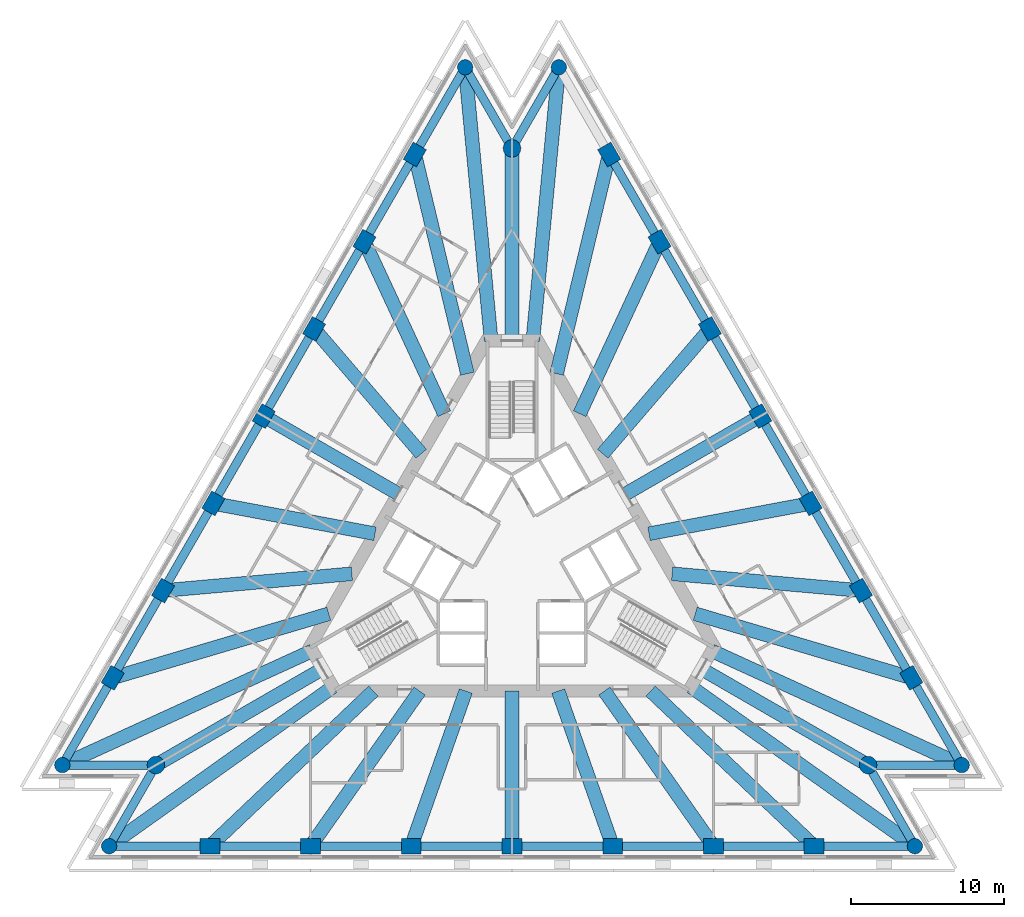
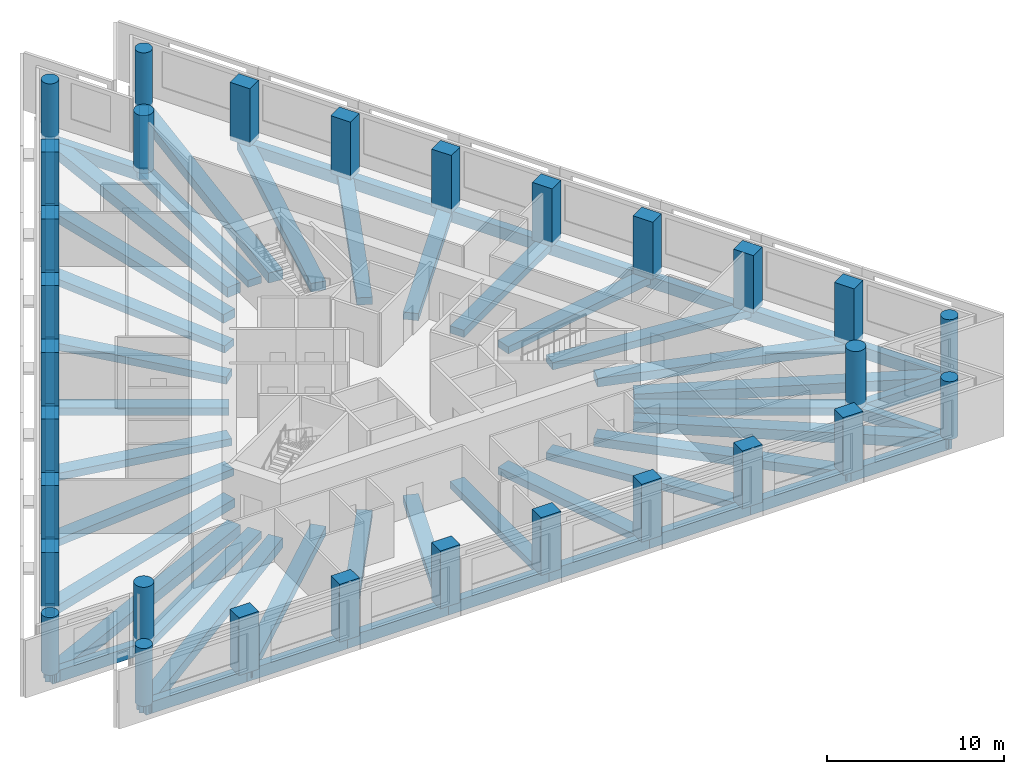
# One storey, part 1 of 10: 59 beams, 30 columns.
"""IFC4 building model written with IfcOpenShell, lengths in metres."""

from ifc_helpers import new_model, si_unit, direction, frame, origin, origin_2d, place, context, subcontext, project, spatial, rectangle, circle, extrude, material, material_profile, profile_set, type_object, element, save


model = new_model("IFC4")

# Units and contexts
model_context = context("Model", 3, precision=1e-05, world=origin(), true_north=direction((0.0, 1.0)))
body_context = subcontext(model_context, "Body", "Model", "MODEL_VIEW")
ifc_project = project(units=[si_unit("LENGTHUNIT", "METRE"), si_unit("AREAUNIT", "SQUARE_METRE"), si_unit("VOLUMEUNIT", "CUBIC_METRE"), si_unit("PLANEANGLEUNIT", "RADIAN"), si_unit("MASSUNIT", "GRAM", prefix="KILO")], contexts=[model_context])

# Site, building, storey
site_placement = place(None, origin())
site = spatial("IfcSite", under=ifc_project, at=site_placement, CompositionType="ELEMENT")
building_placement = place(site_placement, origin())
building = spatial("IfcBuilding", under=site, at=building_placement, Name="Triada Interchange Tower", CompositionType="ELEMENT")
storey_placement = place(building_placement, frame((0.0, 0.0, 152.300048828125)))
storey = spatial("IfcBuildingStorey", under=building, at=storey_placement, Name="L35", CompositionType="ELEMENT", Elevation=152.300048828125)

# Columns
ifc_material_1 = material(Name="Concrete C60/75", Category="concrete")
ifc_material_profile_1 = material_profile(ifc_material_1, rectangle(XDim=1.300048828125, YDim=1.0, at=origin_2d()), Name="RC 1300x1000")
ifc_profile_set_1 = profile_set([ifc_material_profile_1], Name="Concrete C60/75")
column_type_1 = type_object("IfcColumnType", Name="Column B face RC 1300x1000", PredefinedType="COLUMN", material=ifc_profile_set_1)
for number, where, z_axis, x_axis, name in (
    (1, (-6.35595703125, 26.48388671875, -0.300048828125), (0.0, 0.0, 1.0), (0.5, 0.866025403784, 0.0), "Column CB02 L35"),
    (2, (-9.64892578125, 20.781005859375, -0.300048828125), (0.0, 0.0, 1.0), (0.5, 0.866025403784, 0.0), "Column CB03 L35"),
    (3, (-12.94189453125, 15.076904296875, -0.300048828125), (0.0, 0.0, 1.0), (0.5, 0.866025403784, 0.0), "Column CB04 L35"),
    (4, (-16.23388671875, 9.373046875, -0.300048828125), (0.0, 0.0, 1.0), (0.5, 0.866025403784, 0.0), "Column CB05 L35"),
    (5, (-19.527099609375, 3.6689453125, -0.300048828125), (0.0, 0.0, 1.0), (0.5, 0.866025403784, 0.0), "Column CB06 L35"),
    (6, (-22.820068359375, -2.034912109375, -0.300048828125), (0.0, 0.0, 1.0), (0.5, 0.866025403784, 0.0), "Column CB07 L35"),
    (7, (-26.113037109375, -7.738037109375, -0.300048828125), (0.0, 0.0, 1.0), (0.5, 0.866025403784, 0.0), "Column CB08 L35"),
    (8, (-19.758056640625, -18.74609375, -0.300048828125), (0.0, 0.0, 1.0), (1.0, 0.0, 0.0), "Column CB11 L35"),
    (9, (-13.172119140625, -18.74609375, -0.300048828125), (0.0, 0.0, 1.0), (1.0, 0.0, 0.0), "Column CB12 L35"),
    (10, (-6.5859375, -18.74609375, -0.300048828125), (0.0, 0.0, 1.0), (1.0, 0.0, 0.0), "Column CB13 L35"),
    (11, (0.0, -18.74609375, -0.300048828125), (0.0, 0.0, 1.0), (1.0, 0.0, 0.0), "Column CB14 L35"),
    (12, (6.5859375, -18.74609375, -0.300048828125), (0.0, 0.0, 1.0), (1.0, 0.0, 0.0), "Column CB15 L35"),
    (13, (13.172119140625, -18.74609375, -0.300048828125), (0.0, 0.0, 1.0), (1.0, 0.0, 0.0), "Column CB16 L35"),
    (14, (19.758056640625, -18.74609375, -0.300048828125), (0.0, 0.0, 1.0), (1.0, 0.0, 0.0), "Column CB17 L35"),
    (15, (26.113037109375, -7.738037109375, -0.300048828125), (0.0, 0.0, 1.0), (-0.5, 0.866025403784, 0.0), "Column CB20 L35"),
    (16, (22.820068359375, -2.033935546875, -0.300048828125), (0.0, 0.0, 1.0), (-0.5, 0.866025403784, 0.0), "Column CB21 L35"),
    (17, (19.527099609375, 3.6689453125, -0.300048828125), (0.0, 0.0, 1.0), (-0.5, 0.866025403784, 0.0), "Column CB22 L35"),
    (18, (16.23388671875, 9.373046875, -0.300048828125), (0.0, 0.0, 1.0), (-0.5, 0.866025403784, 0.0), "Column CB23 L35"),
    (19, (12.94189453125, 15.076904296875, -0.300048828125), (0.0, 0.0, 1.0), (-0.5, 0.866025403784, 0.0), "Column CB24 L35"),
    (20, (9.64892578125, 20.781005859375, -0.300048828125), (0.0, 0.0, 1.0), (-0.5, 0.866025403784, 0.0), "Column CB25 L35"),
    (21, (6.35595703125, 26.48388671875, -0.300048828125), (0.0, 0.0, 1.0), (-0.5, 0.866025403784, 0.0), "Column CB26 L35"),
):
    element("IfcColumn", number, at=place(storey_placement, frame(where, z_axis=z_axis, x_axis=x_axis)), inside=storey, type_object=column_type_1, Name=name, PredefinedType="COLUMN", context=body_context, shape_type="SweptSolid", body=[
        extrude(rectangle(XDim=1.300048828125, YDim=1.0, at=origin_2d()), origin(), (0.0, 0.0, 1.0), 4.0),
    ])
ifc_material_profile_2 = material_profile(ifc_material_1, circle(Radius=0.5, at=origin_2d()), Name="RC D1000")
ifc_profile_set_2 = profile_set([ifc_material_profile_2], Name="Concrete C60/75")
column_type_2 = type_object("IfcColumnType", Name="End column B RC D1000", PredefinedType="COLUMN", material=ifc_profile_set_2)
for number, where, z_axis, x_axis, name in (
    (22, (-3.06298828125, 32.18798828125, -0.300048828125), (0.0, 0.0, 1.0), (0.5, 0.866025403784, 0.0), "Column CB01 L35"),
    (23, (-29.406005859375, -13.44189453125, -0.300048828125), (0.0, 0.0, 1.0), (0.5, 0.866025403784, 0.0), "Column CB09 L35"),
    (24, (-26.343994140625, -18.74609375, -0.300048828125), (0.0, 0.0, 1.0), (1.0, 0.0, 0.0), "Column CB10 L35"),
    (25, (26.343994140625, -18.74609375, -0.300048828125), (0.0, 0.0, 1.0), (1.0, 0.0, 0.0), "Column CB18 L35"),
    (26, (29.406005859375, -13.44189453125, -0.300048828125), (0.0, 0.0, 1.0), (-0.5, 0.866025403784, 0.0), "Column CB19 L35"),
    (27, (3.06298828125, 32.18798828125, -0.300048828125), (0.0, 0.0, 1.0), (-0.5, 0.866025403784, 0.0), "Column CB27 L35"),
):
    element("IfcColumn", number, at=place(storey_placement, frame(where, z_axis=z_axis, x_axis=x_axis)), inside=storey, type_object=column_type_2, Name=name, PredefinedType="COLUMN", context=body_context, shape_type="SweptSolid", body=[
        extrude(circle(Radius=0.5, at=origin_2d()), origin(), (0.0, 0.0, 1.0), 4.0),
    ])
ifc_material_profile_3 = material_profile(ifc_material_1, circle(Radius=0.574951171875, at=origin_2d()), Name="RC D1150")
ifc_profile_set_3 = profile_set([ifc_material_profile_3], Name="Concrete C60/75")
column_type_3 = type_object("IfcColumnType", Name="Mega column B RC D1150", PredefinedType="COLUMN", material=ifc_profile_set_3)
for number, where, z_axis, x_axis, name in (
    (28, (0.0, 26.883056640625, -0.300048828125), (0.0, 0.0, 1.0), (1.0, 0.0, 0.0), "Column MB1 L35"),
    (29, (-23.281005859375, -13.44189453125, -0.300048828125), (0.0, 0.0, 1.0), (1.0, 0.0, 0.0), "Column MB2 L35"),
    (30, (23.281005859375, -13.44189453125, -0.300048828125), (0.0, 0.0, 1.0), (1.0, 0.0, 0.0), "Column MB3 L35"),
):
    element("IfcColumn", number, at=place(storey_placement, frame(where, z_axis=z_axis, x_axis=x_axis)), inside=storey, type_object=column_type_3, Name=name, PredefinedType="COLUMN", context=body_context, shape_type="SweptSolid", body=[
        extrude(circle(Radius=0.574951171875, at=origin_2d()), origin(), (0.0, 0.0, 1.0), 4.0),
    ])

# Beams
ifc_material_2 = material(Name="Concrete C50/60", Category="concrete")
ifc_material_profile_4 = material_profile(ifc_material_2, rectangle(XDim=0.89990234375, YDim=0.5, at=origin_2d()), Name="RC 900x500")
ifc_profile_set_4 = profile_set([ifc_material_profile_4], Name="Concrete C50/60")
beam_type_1 = type_object("IfcBeamType", Name="Radial band beam B RC 900x500", PredefinedType="BEAM", material=ifc_profile_set_4)
beam_1_placement = place(storey_placement, frame((-9.64892578125, 20.781005859375, -0.550048828125), z_axis=(0.421150637496, -0.906990705871, 0.0), x_axis=(0.906990705871, 0.421150637496, 0.0)))
element("IfcBeam", 31, at=beam_1_placement, inside=storey, type_object=beam_type_1, Name="Radial band beam BB03 L35", PredefinedType="BEAM", context=body_context, shape_type="SweptSolid", body=[
    extrude(rectangle(XDim=0.89990234375, YDim=0.5, at=origin_2d()), origin(), (0.0, 0.0, 1.0), 12.401611328125),
])
beam_2_placement = place(storey_placement, frame((-12.94189453125, 15.076904296875, -0.550048828125), z_axis=(0.651318398791, -0.758804548877, 0.0), x_axis=(0.758804548877, 0.651318398791, 0.0)))
element("IfcBeam", 32, at=beam_2_placement, inside=storey, type_object=beam_type_1, Name="Radial band beam BB04 L35", PredefinedType="BEAM", context=body_context, shape_type="SweptSolid", body=[
    extrude(rectangle(XDim=0.89990234375, YDim=0.5, at=origin_2d()), origin(), (0.0, 0.0, 1.0), 10.7548828125),
])
beam_3_placement = place(storey_placement, frame((-16.23388671875, 9.373046875, -0.550048828125), z_axis=(0.866005647856, -0.500034216711, 0.0), x_axis=(0.500034216711, 0.866005647856, 0.0)))
element("IfcBeam", 33, at=beam_3_placement, inside=storey, type_object=beam_type_1, Name="Radial band beam BB05 L35", PredefinedType="BEAM", context=body_context, shape_type="SweptSolid", body=[
    extrude(rectangle(XDim=0.89990234375, YDim=0.5, at=origin_2d()), origin(), (0.0, 0.0, 1.0), 10.145263671875),
])
beam_4_placement = place(storey_placement, frame((-19.527099609375, 3.6689453125, -0.550048828125), z_axis=(0.982802467996, -0.18465998186, 0.0), x_axis=(0.18465998186, 0.982802467996, 0.0)))
element("IfcBeam", 34, at=beam_4_placement, inside=storey, type_object=beam_type_1, Name="Radial band beam BB06 L35", PredefinedType="BEAM", context=body_context, shape_type="SweptSolid", body=[
    extrude(rectangle(XDim=0.89990234375, YDim=0.5, at=origin_2d()), origin(), (0.0, 0.0, 1.0), 10.754150390625),
])
beam_5_placement = place(storey_placement, frame((-22.820068359375, -2.034912109375, -0.550048828125), z_axis=(0.996051583015, 0.088776370583, 0.0), x_axis=(-0.088776370583, 0.996051583015, 0.0)))
element("IfcBeam", 35, at=beam_5_placement, inside=storey, type_object=beam_type_1, Name="Radial band beam BB07 L35", PredefinedType="BEAM", context=body_context, shape_type="SweptSolid", body=[
    extrude(rectangle(XDim=0.89990234375, YDim=0.5, at=origin_2d()), origin(), (0.0, 0.0, 1.0), 12.400146484375),
])
beam_6_placement = place(storey_placement, frame((-23.281005859375, -13.44189453125, -0.550048828125), z_axis=(0.866003995359, 0.500037078648, 0.0), x_axis=(-0.500037078648, 0.866003995359, 0.0)))
element("IfcBeam", 36, at=beam_6_placement, inside=storey, type_object=beam_type_1, Name="Radial band beam BB10 L35", PredefinedType="BEAM", context=body_context, shape_type="SweptSolid", body=[
    extrude(rectangle(XDim=0.89990234375, YDim=0.5, at=origin_2d()), origin(), (0.0, 0.0, 1.0), 12.5830078125),
])
beam_7_placement = place(storey_placement, frame((-13.172119140625, -18.74609375, -0.550048828125), z_axis=(0.57492022482, 0.818209468958, 0.0), x_axis=(-0.818209468958, 0.57492022482, 0.0)))
element("IfcBeam", 37, at=beam_7_placement, inside=storey, type_object=beam_type_1, Name="Radial band beam BB13 L35", PredefinedType="BEAM", context=body_context, shape_type="SweptSolid", body=[
    extrude(rectangle(XDim=0.89990234375, YDim=0.5, at=origin_2d()), origin(), (0.0, 0.0, 1.0), 12.400146484375),
])
beam_8_placement = place(storey_placement, frame((-6.5859375, -18.74609375, -0.550048828125), z_axis=(0.331496918005, 0.943456301772, 0.0), x_axis=(-0.943456301772, 0.331496918005, 0.0)))
element("IfcBeam", 38, at=beam_8_placement, inside=storey, type_object=beam_type_1, Name="Radial band beam BB14 L35", PredefinedType="BEAM", context=body_context, shape_type="SweptSolid", body=[
    extrude(rectangle(XDim=0.89990234375, YDim=0.5, at=origin_2d()), origin(), (0.0, 0.0, 1.0), 10.754150390625),
])
beam_9_placement = place(storey_placement, frame((0.0, -18.74609375, -0.550048828125), z_axis=(0.0, 1.0, 0.0), x_axis=(-1.0, 0.0, 0.0)))
element("IfcBeam", 39, at=beam_9_placement, inside=storey, type_object=beam_type_1, Name="Radial band beam BB15 L35", PredefinedType="BEAM", context=body_context, shape_type="SweptSolid", body=[
    extrude(rectangle(XDim=0.89990234375, YDim=0.5, at=origin_2d()), origin(), (0.0, 0.0, 1.0), 10.14599609375),
])
beam_10_placement = place(storey_placement, frame((6.5859375, -18.74609375, -0.550048828125), z_axis=(-0.331496918005, 0.943456301772, 0.0), x_axis=(-0.943456301772, -0.331496918005, 0.0)))
element("IfcBeam", 40, at=beam_10_placement, inside=storey, type_object=beam_type_1, Name="Radial band beam BB16 L35", PredefinedType="BEAM", context=body_context, shape_type="SweptSolid", body=[
    extrude(rectangle(XDim=0.89990234375, YDim=0.5, at=origin_2d()), origin(), (0.0, 0.0, 1.0), 10.754150390625),
])
beam_11_placement = place(storey_placement, frame((13.172119140625, -18.74609375, -0.550048828125), z_axis=(-0.57492022482, 0.818209468958, 0.0), x_axis=(-0.818209468958, -0.57492022482, 0.0)))
element("IfcBeam", 41, at=beam_11_placement, inside=storey, type_object=beam_type_1, Name="Radial band beam BB17 L35", PredefinedType="BEAM", context=body_context, shape_type="SweptSolid", body=[
    extrude(rectangle(XDim=0.89990234375, YDim=0.5, at=origin_2d()), origin(), (0.0, 0.0, 1.0), 12.400146484375),
])
beam_12_placement = place(storey_placement, frame((23.281005859375, -13.44189453125, -0.550048828125), z_axis=(-0.866003995359, 0.500037078648, 0.0), x_axis=(-0.500037078648, -0.866003995359, 0.0)))
element("IfcBeam", 42, at=beam_12_placement, inside=storey, type_object=beam_type_1, Name="Radial band beam BB20 L35", PredefinedType="BEAM", context=body_context, shape_type="SweptSolid", body=[
    extrude(rectangle(XDim=0.89990234375, YDim=0.5, at=origin_2d()), origin(), (0.0, 0.0, 1.0), 12.5830078125),
])
beam_13_placement = place(storey_placement, frame((22.820068359375, -2.033935546875, -0.550048828125), z_axis=(-0.996051583015, 0.088776370583, 0.0), x_axis=(-0.088776370583, -0.996051583015, 0.0)))
element("IfcBeam", 43, at=beam_13_placement, inside=storey, type_object=beam_type_1, Name="Radial band beam BB23 L35", PredefinedType="BEAM", context=body_context, shape_type="SweptSolid", body=[
    extrude(rectangle(XDim=0.89990234375, YDim=0.5, at=origin_2d()), origin(), (0.0, 0.0, 1.0), 12.400146484375),
])
beam_14_placement = place(storey_placement, frame((19.527099609375, 3.6689453125, -0.550048828125), z_axis=(-0.982802467996, -0.18465998186, 0.0), x_axis=(0.18465998186, -0.982802467996, 0.0)))
element("IfcBeam", 44, at=beam_14_placement, inside=storey, type_object=beam_type_1, Name="Radial band beam BB24 L35", PredefinedType="BEAM", context=body_context, shape_type="SweptSolid", body=[
    extrude(rectangle(XDim=0.89990234375, YDim=0.5, at=origin_2d()), origin(), (0.0, 0.0, 1.0), 10.754150390625),
])
beam_15_placement = place(storey_placement, frame((16.23388671875, 9.373046875, -0.550048828125), z_axis=(-0.866005647856, -0.500034216711, 0.0), x_axis=(0.500034216711, -0.866005647856, 0.0)))
element("IfcBeam", 45, at=beam_15_placement, inside=storey, type_object=beam_type_1, Name="Radial band beam BB25 L35", PredefinedType="BEAM", context=body_context, shape_type="SweptSolid", body=[
    extrude(rectangle(XDim=0.89990234375, YDim=0.5, at=origin_2d()), origin(), (0.0, 0.0, 1.0), 10.145263671875),
])
beam_16_placement = place(storey_placement, frame((12.94189453125, 15.076904296875, -0.550048828125), z_axis=(-0.651318398791, -0.758804548877, 0.0), x_axis=(0.758804548877, -0.651318398791, 0.0)))
element("IfcBeam", 46, at=beam_16_placement, inside=storey, type_object=beam_type_1, Name="Radial band beam BB26 L35", PredefinedType="BEAM", context=body_context, shape_type="SweptSolid", body=[
    extrude(rectangle(XDim=0.89990234375, YDim=0.5, at=origin_2d()), origin(), (0.0, 0.0, 1.0), 10.7548828125),
])
beam_17_placement = place(storey_placement, frame((9.64892578125, 20.781005859375, -0.550048828125), z_axis=(-0.421150637496, -0.906990705871, 0.0), x_axis=(0.906990705871, -0.421150637496, 0.0)))
element("IfcBeam", 47, at=beam_17_placement, inside=storey, type_object=beam_type_1, Name="Radial band beam BB27 L35", PredefinedType="BEAM", context=body_context, shape_type="SweptSolid", body=[
    extrude(rectangle(XDim=0.89990234375, YDim=0.5, at=origin_2d()), origin(), (0.0, 0.0, 1.0), 12.401611328125),
])
beam_18_placement = place(storey_placement, frame((0.0, 26.883056640625, -0.550048828125), z_axis=(0.0, -1.0, 0.0), x_axis=(1.0, 0.0, 0.0)))
element("IfcBeam", 48, at=beam_18_placement, inside=storey, type_object=beam_type_1, Name="Radial band beam BB30 L35", PredefinedType="BEAM", context=body_context, shape_type="SweptSolid", body=[
    extrude(rectangle(XDim=0.89990234375, YDim=0.5, at=origin_2d()), origin(), (0.0, 0.0, 1.0), 12.5830078125),
])
ifc_material_profile_5 = material_profile(ifc_material_2, rectangle(XDim=0.89990234375, YDim=0.60009765625, at=origin_2d()), Name="RC 900x600")
ifc_profile_set_5 = profile_set([ifc_material_profile_5], Name="Concrete C50/60")
beam_type_2 = type_object("IfcBeamType", Name="Radial band beam B RC 900x600", PredefinedType="BEAM", material=ifc_profile_set_5)
beam_19_placement = place(storey_placement, frame((-6.35595703125, 26.48388671875, -0.60009765625), z_axis=(0.233344139784, -0.972394216575, 0.0), x_axis=(0.972394216575, 0.233344139784, 0.0)))
element("IfcBeam", 49, at=beam_19_placement, inside=storey, type_object=beam_type_2, Name="Radial band beam BB02 L35", PredefinedType="BEAM", context=body_context, shape_type="SweptSolid", body=[
    extrude(rectangle(XDim=0.89990234375, YDim=0.60009765625, at=origin_2d()), origin(), (0.0, 0.0, 1.0), 14.741943359375),
])
beam_20_placement = place(storey_placement, frame((-26.113037109375, -7.738037109375, -0.60009765625), z_axis=(0.958790426324, 0.28411426995, 0.0), x_axis=(-0.28411426995, 0.958790426324, 0.0)))
element("IfcBeam", 50, at=beam_20_placement, inside=storey, type_object=beam_type_2, Name="Radial band beam BB08 L35", PredefinedType="BEAM", context=body_context, shape_type="SweptSolid", body=[
    extrude(rectangle(XDim=0.89990234375, YDim=0.60009765625, at=origin_2d()), origin(), (0.0, 0.0, 1.0), 14.740478515625),
])
for number, where, z_axis, x_axis, name in (
    (51, (-19.758056640625, -18.74609375, -0.60009765625), (0.725452884593, 0.688271830192, 0.0), (-0.688271830192, 0.725452884593, 0.0), "Radial band beam BB12 L35"),
    (52, (19.758056640625, -18.74609375, -0.60009765625), (-0.725452884593, 0.688271830192, 0.0), (-0.688271830192, -0.725452884593, 0.0), "Radial band beam BB18 L35"),
):
    element("IfcBeam", number, at=place(storey_placement, frame(where, z_axis=z_axis, x_axis=x_axis)), inside=storey, type_object=beam_type_2, Name=name, PredefinedType="BEAM", context=body_context, shape_type="SweptSolid", body=[
        extrude(rectangle(XDim=0.89990234375, YDim=0.60009765625, at=origin_2d()), origin(), (0.0, 0.0, 1.0), 14.7412109375),
    ])
beam_21_placement = place(storey_placement, frame((26.113037109375, -7.738037109375, -0.60009765625), z_axis=(-0.958790426324, 0.28411426995, 0.0), x_axis=(-0.28411426995, -0.958790426324, 0.0)))
element("IfcBeam", 53, at=beam_21_placement, inside=storey, type_object=beam_type_2, Name="Radial band beam BB22 L35", PredefinedType="BEAM", context=body_context, shape_type="SweptSolid", body=[
    extrude(rectangle(XDim=0.89990234375, YDim=0.60009765625, at=origin_2d()), origin(), (0.0, 0.0, 1.0), 14.740478515625),
])
beam_22_placement = place(storey_placement, frame((6.35595703125, 26.48388671875, -0.60009765625), z_axis=(-0.233344139784, -0.972394216575, 0.0), x_axis=(0.972394216575, -0.233344139784, 0.0)))
element("IfcBeam", 54, at=beam_22_placement, inside=storey, type_object=beam_type_2, Name="Radial band beam BB28 L35", PredefinedType="BEAM", context=body_context, shape_type="SweptSolid", body=[
    extrude(rectangle(XDim=0.89990234375, YDim=0.60009765625, at=origin_2d()), origin(), (0.0, 0.0, 1.0), 14.741943359375),
])
ifc_material_profile_6 = material_profile(ifc_material_2, rectangle(XDim=0.89990234375, YDim=0.699951171875, at=origin_2d()), Name="RC 900x700")
ifc_profile_set_6 = profile_set([ifc_material_profile_6], Name="Concrete C50/60")
beam_type_3 = type_object("IfcBeamType", Name="Radial band beam B RC 900x700", PredefinedType="BEAM", material=ifc_profile_set_6)
beam_23_placement = place(storey_placement, frame((-3.06298828125, 32.18798828125, -0.650146484375), z_axis=(0.094714838253, -0.995504444699, 0.0), x_axis=(0.995504444699, 0.094714838253, 0.0)))
element("IfcBeam", 55, at=beam_23_placement, inside=storey, type_object=beam_type_3, Name="Radial band beam BB01 L35", PredefinedType="BEAM", context=body_context, shape_type="SweptSolid", body=[
    extrude(rectangle(XDim=0.89990234375, YDim=0.699951171875, at=origin_2d()), origin(), (0.0, 0.0, 1.0), 17.96875),
])
beam_24_placement = place(storey_placement, frame((-29.406005859375, -13.44189453125, -0.650146484375), z_axis=(0.909488713667, 0.415728613055, 0.0), x_axis=(-0.415728613055, 0.909488713667, 0.0)))
element("IfcBeam", 56, at=beam_24_placement, inside=storey, type_object=beam_type_3, Name="Radial band beam BB09 L35", PredefinedType="BEAM", context=body_context, shape_type="SweptSolid", body=[
    extrude(rectangle(XDim=0.89990234375, YDim=0.699951171875, at=origin_2d()), origin(), (0.0, 0.0, 1.0), 17.96826171875),
])
for number, where, z_axis, x_axis, name in (
    (57, (-26.343994140625, -18.74609375, -0.650146484375), (0.814754921858, 0.579805499549, 0.0), (-0.579805499549, 0.814754921858, 0.0), "Radial band beam BB11 L35"),
    (58, (26.343994140625, -18.74609375, -0.650146484375), (-0.814754921858, 0.579805499549, 0.0), (-0.579805499549, -0.814754921858, 0.0), "Radial band beam BB19 L35"),
):
    element("IfcBeam", number, at=place(storey_placement, frame(where, z_axis=z_axis, x_axis=x_axis)), inside=storey, type_object=beam_type_3, Name=name, PredefinedType="BEAM", context=body_context, shape_type="SweptSolid", body=[
        extrude(rectangle(XDim=0.89990234375, YDim=0.699951171875, at=origin_2d()), origin(), (0.0, 0.0, 1.0), 17.968505859375),
    ])
beam_25_placement = place(storey_placement, frame((29.406005859375, -13.44189453125, -0.650146484375), z_axis=(-0.909488713667, 0.415728613055, 0.0), x_axis=(-0.415728613055, -0.909488713667, 0.0)))
element("IfcBeam", 59, at=beam_25_placement, inside=storey, type_object=beam_type_3, Name="Radial band beam BB21 L35", PredefinedType="BEAM", context=body_context, shape_type="SweptSolid", body=[
    extrude(rectangle(XDim=0.89990234375, YDim=0.699951171875, at=origin_2d()), origin(), (0.0, 0.0, 1.0), 17.96826171875),
])
beam_26_placement = place(storey_placement, frame((3.06298828125, 32.18798828125, -0.650146484375), z_axis=(-0.094714838253, -0.995504444699, 0.0), x_axis=(0.995504444699, -0.094714838253, 0.0)))
element("IfcBeam", 60, at=beam_26_placement, inside=storey, type_object=beam_type_3, Name="Radial band beam BB29 L35", PredefinedType="BEAM", context=body_context, shape_type="SweptSolid", body=[
    extrude(rectangle(XDim=0.89990234375, YDim=0.699951171875, at=origin_2d()), origin(), (0.0, 0.0, 1.0), 17.96875),
])
ifc_material_profile_7 = material_profile(ifc_material_2, rectangle(XDim=0.550048828125, YDim=0.800048828125, at=origin_2d()), Name="RC 550x800")
ifc_profile_set_7 = profile_set([ifc_material_profile_7], Name="Concrete C50/60")
beam_type_4 = type_object("IfcBeamType", Name="Spandrel beam B RC 550x800", PredefinedType="BEAM", material=ifc_profile_set_7)
beam_27_placement = place(storey_placement, frame((-3.06298828125, 32.18798828125, -0.699951171875), z_axis=(-0.499966313909, -0.866044851585, 0.0), x_axis=(0.866044851585, -0.499966313909, 0.0)))
element("IfcBeam", 61, at=beam_27_placement, inside=storey, type_object=beam_type_4, Name="Spandrel beam EB01 L35", PredefinedType="BEAM", context=body_context, shape_type="SweptSolid", body=[
    extrude(rectangle(XDim=0.550048828125, YDim=0.800048828125, at=origin_2d()), origin(), (0.0, 0.0, 1.0), 6.58642578125),
])
beam_28_placement = place(storey_placement, frame((-6.35595703125, 26.48388671875, -0.699951171875), z_axis=(-0.500046574511, -0.865998512308, 0.0), x_axis=(0.865998512308, -0.500046574511, 0.0)))
element("IfcBeam", 62, at=beam_28_placement, inside=storey, type_object=beam_type_4, Name="Spandrel beam EB02 L35", PredefinedType="BEAM", context=body_context, shape_type="SweptSolid", body=[
    extrude(rectangle(XDim=0.550048828125, YDim=0.800048828125, at=origin_2d()), origin(), (0.0, 0.0, 1.0), 6.585205078125),
])
beam_29_placement = place(storey_placement, frame((-9.64892578125, 20.781005859375, -0.699951171875), z_axis=(-0.499966313909, -0.866044851585, 0.0), x_axis=(0.866044851585, -0.499966313909, 0.0)))
element("IfcBeam", 63, at=beam_29_placement, inside=storey, type_object=beam_type_4, Name="Spandrel beam EB03 L35", PredefinedType="BEAM", context=body_context, shape_type="SweptSolid", body=[
    extrude(rectangle(XDim=0.550048828125, YDim=0.800048828125, at=origin_2d()), origin(), (0.0, 0.0, 1.0), 6.58642578125),
])
beam_30_placement = place(storey_placement, frame((-12.94189453125, 15.076904296875, -0.699951171875), z_axis=(-0.499871143288, -0.866099786461, 0.0), x_axis=(0.866099786461, -0.499871143288, 0.0)))
element("IfcBeam", 64, at=beam_30_placement, inside=storey, type_object=beam_type_4, Name="Spandrel beam EB04 L35", PredefinedType="BEAM", context=body_context, shape_type="SweptSolid", body=[
    extrude(rectangle(XDim=0.550048828125, YDim=0.800048828125, at=origin_2d()), origin(), (0.0, 0.0, 1.0), 6.585693359375),
])
beam_31_placement = place(storey_placement, frame((-16.23388671875, 9.373046875, -0.699951171875), z_axis=(-0.499994115003, -0.866028801462, 0.0), x_axis=(0.866028801462, -0.499994115003, 0.0)))
element("IfcBeam", 65, at=beam_31_placement, inside=storey, type_object=beam_type_4, Name="Spandrel beam EB05 L35", PredefinedType="BEAM", context=body_context, shape_type="SweptSolid", body=[
    extrude(rectangle(XDim=0.550048828125, YDim=0.800048828125, at=origin_2d()), origin(), (0.0, 0.0, 1.0), 6.58642578125),
])
beam_32_placement = place(storey_placement, frame((-19.527099609375, 3.6689453125, -0.699951171875), z_axis=(-0.499982364312, -0.866035585514, 0.0), x_axis=(0.866035585514, -0.499982364312, 0.0)))
element("IfcBeam", 66, at=beam_32_placement, inside=storey, type_object=beam_type_4, Name="Spandrel beam EB06 L35", PredefinedType="BEAM", context=body_context, shape_type="SweptSolid", body=[
    extrude(rectangle(XDim=0.550048828125, YDim=0.800048828125, at=origin_2d()), origin(), (0.0, 0.0, 1.0), 6.586181640625),
])
beam_33_placement = place(storey_placement, frame((-22.820068359375, -2.034912109375, -0.699951171875), z_axis=(-0.500030520673, -0.866007781949, 0.0), x_axis=(0.866007781949, -0.500030520673, 0.0)))
element("IfcBeam", 67, at=beam_33_placement, inside=storey, type_object=beam_type_4, Name="Spandrel beam EB07 L35", PredefinedType="BEAM", context=body_context, shape_type="SweptSolid", body=[
    extrude(rectangle(XDim=0.550048828125, YDim=0.800048828125, at=origin_2d()), origin(), (0.0, 0.0, 1.0), 6.58544921875),
])
beam_34_placement = place(storey_placement, frame((-26.113037109375, -7.738037109375, -0.699951171875), z_axis=(-0.499982364312, -0.866035585514, 0.0), x_axis=(0.866035585514, -0.499982364312, 0.0)))
element("IfcBeam", 68, at=beam_34_placement, inside=storey, type_object=beam_type_4, Name="Spandrel beam EB08 L35", PredefinedType="BEAM", context=body_context, shape_type="SweptSolid", body=[
    extrude(rectangle(XDim=0.550048828125, YDim=0.800048828125, at=origin_2d()), origin(), (0.0, 0.0, 1.0), 6.586181640625),
])
for number, where, z_axis, x_axis, name in (
    (69, (-29.406005859375, -13.44189453125, -0.699951171875), (1.0, 0.0, 0.0), (0.0, 1.0, 0.0), "Spandrel beam EB09 L35"),
    (70, (-23.281005859375, -13.44189453125, -0.699951171875), (-0.500074377092, -0.865982457891, 0.0), (0.865982457891, -0.500074377092, 0.0), "Spandrel beam EB10 L35"),
):
    element("IfcBeam", number, at=place(storey_placement, frame(where, z_axis=z_axis, x_axis=x_axis)), inside=storey, type_object=beam_type_4, Name=name, PredefinedType="BEAM", context=body_context, shape_type="SweptSolid", body=[
        extrude(rectangle(XDim=0.550048828125, YDim=0.800048828125, at=origin_2d()), origin(), (0.0, 0.0, 1.0), 6.125),
    ])
for number, where, z_axis, x_axis, name in (
    (71, (-26.343994140625, -18.74609375, -0.699951171875), (1.0, 0.0, 0.0), (0.0, 1.0, 0.0), "Spandrel beam EB11 L35"),
    (72, (-19.758056640625, -18.74609375, -0.699951171875), (1.0, 0.0, 0.0), (0.0, 1.0, 0.0), "Spandrel beam EB12 L35"),
):
    element("IfcBeam", number, at=place(storey_placement, frame(where, z_axis=z_axis, x_axis=x_axis)), inside=storey, type_object=beam_type_4, Name=name, PredefinedType="BEAM", context=body_context, shape_type="SweptSolid", body=[
        extrude(rectangle(XDim=0.550048828125, YDim=0.800048828125, at=origin_2d()), origin(), (0.0, 0.0, 1.0), 6.5859375),
    ])
beam_35_placement = place(storey_placement, frame((-13.172119140625, -18.74609375, -0.699951171875), z_axis=(1.0, 0.0, 0.0), x_axis=(0.0, 1.0, 0.0)))
element("IfcBeam", 73, at=beam_35_placement, inside=storey, type_object=beam_type_4, Name="Spandrel beam EB13 L35", PredefinedType="BEAM", context=body_context, shape_type="SweptSolid", body=[
    extrude(rectangle(XDim=0.550048828125, YDim=0.800048828125, at=origin_2d()), origin(), (0.0, 0.0, 1.0), 6.586181640625),
])
for number, where, z_axis, x_axis, name in (
    (74, (-6.5859375, -18.74609375, -0.699951171875), (1.0, 0.0, 0.0), (0.0, 1.0, 0.0), "Spandrel beam EB14 L35"),
    (75, (0.0, -18.74609375, -0.699951171875), (1.0, 0.0, 0.0), (0.0, 1.0, 0.0), "Spandrel beam EB15 L35"),
):
    element("IfcBeam", number, at=place(storey_placement, frame(where, z_axis=z_axis, x_axis=x_axis)), inside=storey, type_object=beam_type_4, Name=name, PredefinedType="BEAM", context=body_context, shape_type="SweptSolid", body=[
        extrude(rectangle(XDim=0.550048828125, YDim=0.800048828125, at=origin_2d()), origin(), (0.0, 0.0, 1.0), 6.5859375),
    ])
beam_36_placement = place(storey_placement, frame((6.5859375, -18.74609375, -0.699951171875), z_axis=(1.0, 0.0, 0.0), x_axis=(0.0, 1.0, 0.0)))
element("IfcBeam", 76, at=beam_36_placement, inside=storey, type_object=beam_type_4, Name="Spandrel beam EB16 L35", PredefinedType="BEAM", context=body_context, shape_type="SweptSolid", body=[
    extrude(rectangle(XDim=0.550048828125, YDim=0.800048828125, at=origin_2d()), origin(), (0.0, 0.0, 1.0), 6.586181640625),
])
for number, where, z_axis, x_axis, name in (
    (77, (13.172119140625, -18.74609375, -0.699951171875), (1.0, 0.0, 0.0), (0.0, 1.0, 0.0), "Spandrel beam EB17 L35"),
    (78, (19.758056640625, -18.74609375, -0.699951171875), (1.0, 0.0, 0.0), (0.0, 1.0, 0.0), "Spandrel beam EB18 L35"),
):
    element("IfcBeam", number, at=place(storey_placement, frame(where, z_axis=z_axis, x_axis=x_axis)), inside=storey, type_object=beam_type_4, Name=name, PredefinedType="BEAM", context=body_context, shape_type="SweptSolid", body=[
        extrude(rectangle(XDim=0.550048828125, YDim=0.800048828125, at=origin_2d()), origin(), (0.0, 0.0, 1.0), 6.5859375),
    ])
for number, where, z_axis, x_axis, name in (
    (79, (26.343994140625, -18.74609375, -0.699951171875), (-0.500074377092, 0.865982457891, 0.0), (-0.865982457891, -0.500074377092, 0.0), "Spandrel beam EB19 L35"),
    (80, (23.281005859375, -13.44189453125, -0.699951171875), (1.0, 0.0, 0.0), (0.0, 1.0, 0.0), "Spandrel beam EB20 L35"),
):
    element("IfcBeam", number, at=place(storey_placement, frame(where, z_axis=z_axis, x_axis=x_axis)), inside=storey, type_object=beam_type_4, Name=name, PredefinedType="BEAM", context=body_context, shape_type="SweptSolid", body=[
        extrude(rectangle(XDim=0.550048828125, YDim=0.800048828125, at=origin_2d()), origin(), (0.0, 0.0, 1.0), 6.125),
    ])
beam_37_placement = place(storey_placement, frame((29.406005859375, -13.44189453125, -0.699951171875), z_axis=(-0.499982364312, 0.866035585514, 0.0), x_axis=(-0.866035585514, -0.499982364312, 0.0)))
element("IfcBeam", 81, at=beam_37_placement, inside=storey, type_object=beam_type_4, Name="Spandrel beam EB21 L35", PredefinedType="BEAM", context=body_context, shape_type="SweptSolid", body=[
    extrude(rectangle(XDim=0.550048828125, YDim=0.800048828125, at=origin_2d()), origin(), (0.0, 0.0, 1.0), 6.586181640625),
])
beam_38_placement = place(storey_placement, frame((26.113037109375, -7.738037109375, -0.699951171875), z_axis=(-0.499966313909, 0.866044851585, 0.0), x_axis=(-0.866044851585, -0.499966313909, 0.0)))
element("IfcBeam", 82, at=beam_38_placement, inside=storey, type_object=beam_type_4, Name="Spandrel beam EB22 L35", PredefinedType="BEAM", context=body_context, shape_type="SweptSolid", body=[
    extrude(rectangle(XDim=0.550048828125, YDim=0.800048828125, at=origin_2d()), origin(), (0.0, 0.0, 1.0), 6.58642578125),
])
beam_39_placement = place(storey_placement, frame((22.820068359375, -2.033935546875, -0.699951171875), z_axis=(-0.500046574511, 0.865998512308, 0.0), x_axis=(-0.865998512308, -0.500046574511, 0.0)))
element("IfcBeam", 83, at=beam_39_placement, inside=storey, type_object=beam_type_4, Name="Spandrel beam EB23 L35", PredefinedType="BEAM", context=body_context, shape_type="SweptSolid", body=[
    extrude(rectangle(XDim=0.550048828125, YDim=0.800048828125, at=origin_2d()), origin(), (0.0, 0.0, 1.0), 6.585205078125),
])
beam_40_placement = place(storey_placement, frame((19.527099609375, 3.6689453125, -0.699951171875), z_axis=(-0.499994115003, 0.866028801462, 0.0), x_axis=(-0.866028801462, -0.499994115003, 0.0)))
element("IfcBeam", 84, at=beam_40_placement, inside=storey, type_object=beam_type_4, Name="Spandrel beam EB24 L35", PredefinedType="BEAM", context=body_context, shape_type="SweptSolid", body=[
    extrude(rectangle(XDim=0.550048828125, YDim=0.800048828125, at=origin_2d()), origin(), (0.0, 0.0, 1.0), 6.58642578125),
])
beam_41_placement = place(storey_placement, frame((16.23388671875, 9.373046875, -0.699951171875), z_axis=(-0.499871143288, 0.866099786461, 0.0), x_axis=(-0.866099786461, -0.499871143288, 0.0)))
element("IfcBeam", 85, at=beam_41_placement, inside=storey, type_object=beam_type_4, Name="Spandrel beam EB25 L35", PredefinedType="BEAM", context=body_context, shape_type="SweptSolid", body=[
    extrude(rectangle(XDim=0.550048828125, YDim=0.800048828125, at=origin_2d()), origin(), (0.0, 0.0, 1.0), 6.585693359375),
])
beam_42_placement = place(storey_placement, frame((12.94189453125, 15.076904296875, -0.699951171875), z_axis=(-0.499966313909, 0.866044851585, 0.0), x_axis=(-0.866044851585, -0.499966313909, 0.0)))
element("IfcBeam", 86, at=beam_42_placement, inside=storey, type_object=beam_type_4, Name="Spandrel beam EB26 L35", PredefinedType="BEAM", context=body_context, shape_type="SweptSolid", body=[
    extrude(rectangle(XDim=0.550048828125, YDim=0.800048828125, at=origin_2d()), origin(), (0.0, 0.0, 1.0), 6.58642578125),
])
beam_43_placement = place(storey_placement, frame((9.64892578125, 20.781005859375, -0.699951171875), z_axis=(-0.500046574511, 0.865998512308, 0.0), x_axis=(-0.865998512308, -0.500046574511, 0.0)))
element("IfcBeam", 87, at=beam_43_placement, inside=storey, type_object=beam_type_4, Name="Spandrel beam EB27 L35", PredefinedType="BEAM", context=body_context, shape_type="SweptSolid", body=[
    extrude(rectangle(XDim=0.550048828125, YDim=0.800048828125, at=origin_2d()), origin(), (0.0, 0.0, 1.0), 6.585205078125),
])
for number, where, z_axis, x_axis, name in (
    (88, (3.06298828125, 32.18798828125, -0.699951171875), (-0.500022597718, -0.866012356593, 0.0), (0.866012356593, -0.500022597718, 0.0), "Spandrel beam EB29 L35"),
    (89, (0.0, 26.883056640625, -0.699951171875), (-0.500022597718, 0.866012356593, 0.0), (-0.866012356593, -0.500022597718, 0.0), "Spandrel beam EB30 L35"),
):
    element("IfcBeam", number, at=place(storey_placement, frame(where, z_axis=z_axis, x_axis=x_axis)), inside=storey, type_object=beam_type_4, Name=name, PredefinedType="BEAM", context=body_context, shape_type="SweptSolid", body=[
        extrude(rectangle(XDim=0.550048828125, YDim=0.800048828125, at=origin_2d()), origin(), (0.0, 0.0, 1.0), 6.125732421875),
    ])

save(model, "model.ifc")
